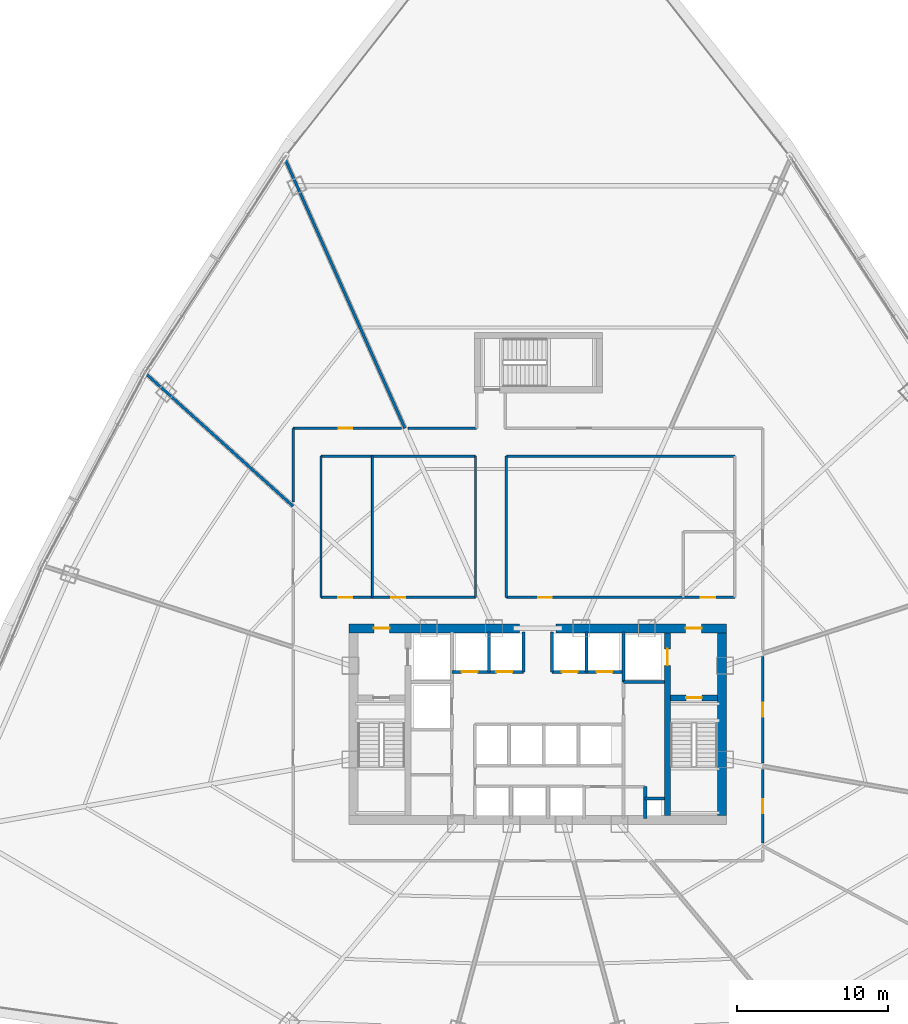
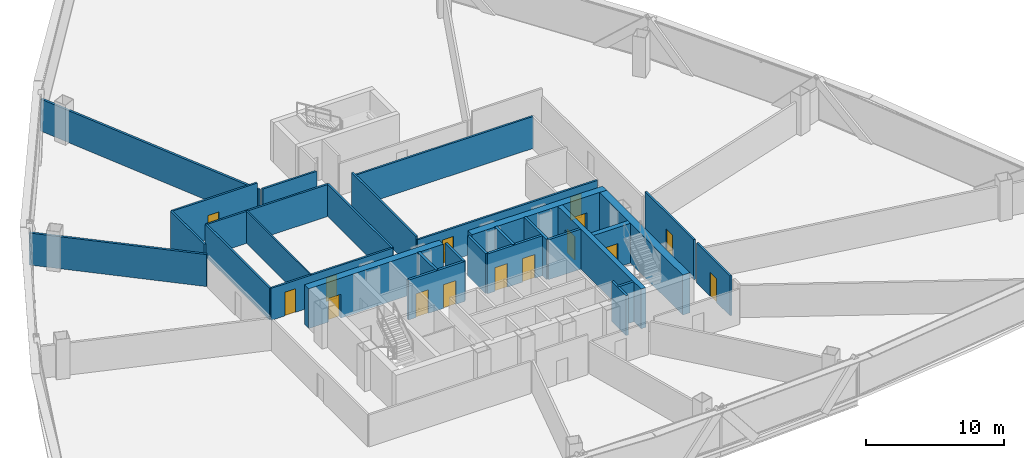
# One storey, part 33 of 39: 30 walls, 15 doors, 15 openings.
"""IFC4 building model written with IfcOpenShell, lengths in metres."""

from ifc_helpers import new_model, si_unit, direction, frame, frame_2d, origin, origin_with_axes, place, context, subcontext, project, spatial, rectangle, extrude, source, transform, mapped, material, layer, layer_set, type_object, element, fill, save


model = new_model("IFC4")

# Units and contexts
model_context = context("Model", 3, precision=1e-05, world=origin(), true_north=direction((0.0, 1.0)))
body_context = subcontext(model_context, "Body", "Model", "MODEL_VIEW")
ifc_project = project(units=[si_unit("LENGTHUNIT", "METRE"), si_unit("AREAUNIT", "SQUARE_METRE"), si_unit("VOLUMEUNIT", "CUBIC_METRE"), si_unit("PLANEANGLEUNIT", "RADIAN"), si_unit("MASSUNIT", "GRAM", prefix="KILO"), si_unit("THERMODYNAMICTEMPERATUREUNIT", "KELVIN"), si_unit("POWERUNIT", "WATT")], contexts=[model_context])

# Site, building, storey
site_placement = place(None, origin())
site = spatial("IfcSite", under=ifc_project, at=site_placement, CompositionType="ELEMENT")
building_placement = place(site_placement, origin())
building = spatial("IfcBuilding", under=site, at=building_placement, Name="Yunzhuo Pagoda Commons", CompositionType="ELEMENT")
storey_placement = place(building_placement, frame((0.0, 0.0, 92.580078125)))
storey = spatial("IfcBuildingStorey", under=building, at=storey_placement, Name="L23", CompositionType="ELEMENT", Elevation=92.580078125)

# Wall, opening, door
ifc_material_1 = material(Name="Concrete C60", Category="concrete")
ifc_layer_1 = layer(ifc_material_1, 0.60009765625)
ifc_layer_set_1 = layer_set([ifc_layer_1], Name="Concrete C60")
wall_type_1 = type_object("IfcWallType", Name="W-C02 Mid Core Shear Wall 600", PredefinedType="SHEAR", material=ifc_layer_set_1)
wall_1_placement = place(storey_placement, frame((35.5, 40.199951171875, 0.0), z_axis=(0.0, 0.0, 1.0), x_axis=(1.0, 0.0, 0.0)))
wall_1 = element("IfcWall", 1, at=wall_1_placement, inside=storey, type_object=wall_type_1, Name="L23 core shear wall NW", PredefinedType="SHEAR", context=body_context, shape_type="SweptSolid", body=[
    extrude(rectangle(XDim=11.300048828125, YDim=0.60009765625, at=frame_2d((5.64990234375, 0.0))), origin(), (0.0, 0.0, 1.0), 3.5400390625),
])
opening_1_placement = place(wall_1_placement, frame((1.64990234375, 0.0, 0.0)))
opening_1 = element("IfcOpeningElement", 2, at=opening_1_placement, cuts=wall_1, Name="Opening D-02", PredefinedType="OPENING", context=body_context, shape_type="SweptSolid", body=[
    extrude(rectangle(XDim=1.050048828125, YDim=2.10009765625, at=frame_2d((0.52490234375, 1.050048828125))), frame((0.0, 0.31005859375, 0.0), z_axis=(0.0, -1.0, 0.0), x_axis=(1.0, 0.0, 0.0)), (0.0, 0.0, 1.0), 0.6201171875),
])
ifc_material_2 = material(Name="Galvanized fire-resisting metal leaf")
door_type_1 = type_object("IfcDoorType", Name="D-02 Firefighting Lobby & Refuge Fire Door 1050x2100", OperationType="NOTDEFINED", PredefinedType="DOOR", material=ifc_material_2)
shared_shape_1 = source(origin(), body_context, "Body", "SweptSolid", [
    extrude(rectangle(XDim=1.050048828125, YDim=2.10009765625, at=frame_2d((0.52490234375, 1.050048828125))), frame((0.0, 0.02490234375, 0.0), z_axis=(0.0, -1.0, 0.0), x_axis=(1.0, 0.0, 0.0)), (0.0, 0.0, 1.0), 0.050048828125),
])
door_1_placement = place(opening_1_placement, frame((1.050048828125, 0.0, 0.0), z_axis=(0.0, 0.0, 1.0), x_axis=(-1.0, 0.0, 0.0)))
door_1 = element("IfcDoor", 3, at=door_1_placement, inside=storey, type_object=door_type_1, Name="L23 Firefighting Lobby 1 fire door", OperationType="SINGLE_SWING_LEFT", OverallHeight=2.10009765625, OverallWidth=1.050048828125, PredefinedType="DOOR", context=body_context, shape_type="MappedRepresentation", body=[
    mapped(shared_shape_1, transform((0.0, 0.0, 0.0), scale=1.0)),
])
fill(opening_1, door_1)

wall_2_placement = place(storey_placement, frame((49.199951171875, 40.199951171875, 0.0), z_axis=(0.0, 0.0, 1.0), x_axis=(1.0, 0.0, 0.0)))
wall_2 = element("IfcWall", 4, at=wall_2_placement, inside=storey, type_object=wall_type_1, Name="L23 core shear wall NE", PredefinedType="SHEAR", context=body_context, shape_type="SweptSolid", body=[
    extrude(rectangle(XDim=11.300048828125, YDim=0.60009765625, at=frame_2d((5.64990234375, 0.0))), origin(), (0.0, 0.0, 1.0), 3.5400390625),
])
opening_2_placement = place(wall_2_placement, frame((8.60009765625, 0.0, 0.0)))
opening_2 = element("IfcOpeningElement", 5, at=opening_2_placement, cuts=wall_2, Name="Opening D-02", PredefinedType="OPENING", context=body_context, shape_type="SweptSolid", body=[
    extrude(rectangle(XDim=1.050048828125, YDim=2.10009765625, at=frame_2d((0.52490234375, 1.050048828125))), frame((0.0, 0.31005859375, 0.0), z_axis=(0.0, -1.0, 0.0), x_axis=(1.0, 0.0, 0.0)), (0.0, 0.0, 1.0), 0.6201171875),
])
door_2_placement = place(opening_2_placement, frame((1.050048828125, 0.0, 0.0), z_axis=(0.0, 0.0, 1.0), x_axis=(-1.0, 0.0, 0.0)))
door_2 = element("IfcDoor", 6, at=door_2_placement, inside=storey, type_object=door_type_1, Name="L23 Firefighting Lobby 2 fire door", OperationType="SINGLE_SWING_RIGHT", OverallHeight=2.10009765625, OverallWidth=1.050048828125, PredefinedType="DOOR", context=body_context, shape_type="MappedRepresentation", body=[
    mapped(shared_shape_1, transform((0.0, 0.0, 0.0), scale=1.0)),
])
fill(opening_2, door_2)

# Wall
wall_3_placement = place(storey_placement, frame((60.199951171875, 27.800048828125, 0.0), z_axis=(0.0, 0.0, 1.0), x_axis=(0.0, 1.0, 0.0)))
element("IfcWall", 7, at=wall_3_placement, inside=storey, type_object=wall_type_1, Name="L23 core shear wall E", PredefinedType="SHEAR", context=body_context, shape_type="SweptSolid", body=[
    extrude(rectangle(XDim=12.099853515625, YDim=0.60009765625, at=frame_2d((6.0498046875, 0.0))), origin(), (0.0, 0.0, 1.0), 3.5400390625),
])

# Wall, openings, doors
ifc_material_3 = material(Name="Gypsum plasterboard on acoustic stud")
ifc_layer_2 = layer(ifc_material_3, 0.159912109375)
ifc_layer_set_2 = layer_set([ifc_layer_2], Name="Gypsum plasterboard on acoustic stud")
wall_type_2 = type_object("IfcWallType", Name="W-COR1 Tower Rated Corridor Wall 160", PredefinedType="PARTITIONING", material=ifc_layer_set_2)
wall_4_placement = place(storey_placement, frame((33.64990234375, 42.25, 0.0), z_axis=(0.0, 0.0, 1.0), x_axis=(1.0, 0.0, 0.0)))
wall_4 = element("IfcWall", 8, at=wall_4_placement, inside=storey, type_object=wall_type_2, Name="L23 interior wall IW-L23-ISLWS", PredefinedType="PARTITIONING", context=body_context, shape_type="SweptSolid", body=[
    extrude(rectangle(XDim=10.22998046875, YDim=0.159912109375, at=frame_2d((5.114990234375, 0.0))), origin(), (0.0, 0.0, 1.0), 2.83984375),
])
opening_3_placement = place(wall_4_placement, frame((1.14990234375, 0.0, 0.0)))
opening_3 = element("IfcOpeningElement", 9, at=opening_3_placement, cuts=wall_4, Name="Opening D-04", PredefinedType="OPENING", context=body_context, shape_type="SweptSolid", body=[
    extrude(rectangle(XDim=0.919921875, YDim=2.10009765625, at=frame_2d((0.4599609375, 1.050048828125))), frame((0.0, 0.08984375, 0.0), z_axis=(0.0, -1.0, 0.0), x_axis=(1.0, 0.0, 0.0)), (0.0, 0.0, 1.0), 0.179931640625),
])
opening_4_placement = place(wall_4_placement, frame((4.64990234375, 0.0, 0.0)))
opening_4 = element("IfcOpeningElement", 10, at=opening_4_placement, cuts=wall_4, Name="Opening D-04", PredefinedType="OPENING", context=body_context, shape_type="SweptSolid", body=[
    extrude(rectangle(XDim=0.919921875, YDim=2.10009765625, at=frame_2d((0.4599609375, 1.050048828125))), frame((0.0, 0.08984375, 0.0), z_axis=(0.0, -1.0, 0.0), x_axis=(1.0, 0.0, 0.0)), (0.0, 0.0, 1.0), 0.179931640625),
])
ifc_material_4 = material(Name="Powder-coated aluminium and timber acoustic leaf", Category="wood")
door_type_2 = type_object("IfcDoorType", Name="D-04 Bedroom & Study Interior Door 920x2100", OperationType="NOTDEFINED", PredefinedType="DOOR", material=ifc_material_4)
shared_shape_2 = source(origin(), body_context, "Body", "SweptSolid", [
    extrude(rectangle(XDim=0.919921875, YDim=2.10009765625, at=frame_2d((0.4599609375, 1.050048828125))), frame((0.0, 0.02490234375, 0.0), z_axis=(0.0, -1.0, 0.0), x_axis=(1.0, 0.0, 0.0)), (0.0, 0.0, 1.0), 0.050048828125),
])
door_3_placement = place(opening_3_placement, frame((0.919921875, 0.0, 0.0), z_axis=(0.0, 0.0, 1.0), x_axis=(-1.0, 0.0, 0.0)))
door_3 = element("IfcDoor", 11, at=door_3_placement, inside=storey, type_object=door_type_2, Name="L23 laundry door", OperationType="SINGLE_SWING_LEFT", OverallHeight=2.10009765625, OverallWidth=0.919921875, PredefinedType="DOOR", context=body_context, shape_type="MappedRepresentation", body=[
    mapped(shared_shape_2, transform((0.0, 0.0, 0.0), scale=1.0)),
])
fill(opening_3, door_3)
door_4_placement = place(opening_4_placement, frame((0.919921875, 0.0, 0.0), z_axis=(0.0, 0.0, 1.0), x_axis=(-1.0, 0.0, 0.0)))
door_4 = element("IfcDoor", 12, at=door_4_placement, inside=storey, type_object=door_type_2, Name="L23 study commons W door", OperationType="SINGLE_SWING_RIGHT", OverallHeight=2.10009765625, OverallWidth=0.919921875, PredefinedType="DOOR", context=body_context, shape_type="MappedRepresentation", body=[
    mapped(shared_shape_2, transform((0.0, 0.0, 0.0), scale=1.0)),
])
fill(opening_4, door_4)

# Walls
wall_5_placement = place(storey_placement, frame((33.64990234375, 51.60009765625, 0.0), z_axis=(0.0, 0.0, 1.0), x_axis=(1.0, 0.0, 0.0)))
element("IfcWall", 13, at=wall_5_placement, inside=storey, type_object=wall_type_2, Name="L23 interior wall IW-L23-ISLWN", PredefinedType="PARTITIONING", context=body_context, shape_type="SweptSolid", body=[
    extrude(rectangle(XDim=10.22998046875, YDim=0.159912109375, at=frame_2d((5.114990234375, 0.0))), origin(), (0.0, 0.0, 1.0), 2.83984375),
])
for number, where, z_axis, x_axis, name in (
    (14, (33.64990234375, 42.25, 0.0), (0.0, 0.0, 1.0), (0.0, 1.0, 0.0), "L23 interior wall IW-L23-ISLWW"),
    (15, (43.8798828125, 42.25, 0.0), (0.0, 0.0, 1.0), (0.0, 1.0, 0.0), "L23 interior wall IW-L23-ISLWE"),
):
    element("IfcWall", number, at=place(storey_placement, frame(where, z_axis=z_axis, x_axis=x_axis)), inside=storey, type_object=wall_type_2, Name=name, PredefinedType="PARTITIONING", context=body_context, shape_type="SweptSolid", body=[
        extrude(rectangle(XDim=9.35009765625, YDim=0.159912109375, at=frame_2d((4.675048828125, 0.0))), origin(), (0.0, 0.0, 1.0), 2.83984375),
    ])

# Wall, openings, doors
wall_6_placement = place(storey_placement, frame((45.919921875, 42.25, 0.0), z_axis=(0.0, 0.0, 1.0), x_axis=(1.0, 0.0, 0.0)))
wall_6 = element("IfcWall", 16, at=wall_6_placement, inside=storey, type_object=wall_type_2, Name="L23 interior wall IW-L23-ISLES", PredefinedType="PARTITIONING", context=body_context, shape_type="SweptSolid", body=[
    extrude(rectangle(XDim=15.130126953125, YDim=0.159912109375, at=frame_2d((7.56494140625, 0.0))), origin(), (0.0, 0.0, 1.0), 2.83984375),
])
opening_5_placement = place(wall_6_placement, frame((2.10009765625, 0.0, 0.0)))
opening_5 = element("IfcOpeningElement", 17, at=opening_5_placement, cuts=wall_6, Name="Opening D-04", PredefinedType="OPENING", context=body_context, shape_type="SweptSolid", body=[
    extrude(rectangle(XDim=0.919921875, YDim=2.10009765625, at=frame_2d((0.4599609375, 1.050048828125))), frame((0.0, 0.08984375, 0.0), z_axis=(0.0, -1.0, 0.0), x_axis=(1.0, 0.0, 0.0)), (0.0, 0.0, 1.0), 0.179931640625),
])
opening_6_placement = place(wall_6_placement, frame((12.8798828125, 0.0, 0.0)))
opening_6 = element("IfcOpeningElement", 18, at=opening_6_placement, cuts=wall_6, Name="Opening D-11", PredefinedType="OPENING", context=body_context, shape_type="SweptSolid", body=[
    extrude(rectangle(XDim=0.93994140625, YDim=2.10009765625, at=frame_2d((0.469970703125, 1.050048828125))), frame((0.0, 0.08984375, 0.0), z_axis=(0.0, -1.0, 0.0), x_axis=(1.0, 0.0, 0.0)), (0.0, 0.0, 1.0), 0.179931640625),
])
door_type_3 = type_object("IfcDoorType", Name="D-11 Accessible Washroom Fire Door 940x2100", OperationType="NOTDEFINED", PredefinedType="DOOR", material=ifc_material_2)
shared_shape_3 = source(origin(), body_context, "Body", "SweptSolid", [
    extrude(rectangle(XDim=0.93994140625, YDim=2.10009765625, at=frame_2d((0.469970703125, 1.050048828125))), frame((0.0, 0.02490234375, 0.0), z_axis=(0.0, -1.0, 0.0), x_axis=(1.0, 0.0, 0.0)), (0.0, 0.0, 1.0), 0.050048828125),
])
door_5_placement = place(opening_6_placement, frame((0.93994140625, 0.0, 0.0), z_axis=(0.0, 0.0, 1.0), x_axis=(-1.0, 0.0, 0.0)))
door_5 = element("IfcDoor", 19, at=door_5_placement, inside=storey, type_object=door_type_3, Name="L23 accessible WC door", OperationType="SINGLE_SWING_RIGHT", OverallHeight=2.10009765625, OverallWidth=0.93994140625, PredefinedType="DOOR", context=body_context, shape_type="MappedRepresentation", body=[
    mapped(shared_shape_3, transform((0.0, 0.0, 0.0), scale=1.0)),
])
fill(opening_6, door_5)
door_6_placement = place(opening_5_placement, frame((0.919921875, 0.0, 0.0), z_axis=(0.0, 0.0, 1.0), x_axis=(-1.0, 0.0, 0.0)))
door_6 = element("IfcDoor", 20, at=door_6_placement, inside=storey, type_object=door_type_2, Name="L23 reading commons door", OperationType="SINGLE_SWING_LEFT", OverallHeight=2.10009765625, OverallWidth=0.919921875, PredefinedType="DOOR", context=body_context, shape_type="MappedRepresentation", body=[
    mapped(shared_shape_2, transform((0.0, 0.0, 0.0), scale=1.0)),
])
fill(opening_5, door_6)

# Walls
wall_7_placement = place(storey_placement, frame((45.919921875, 51.60009765625, 0.0), z_axis=(0.0, 0.0, 1.0), x_axis=(1.0, 0.0, 0.0)))
element("IfcWall", 21, at=wall_7_placement, inside=storey, type_object=wall_type_2, Name="L23 interior wall IW-L23-ISLEN", PredefinedType="PARTITIONING", context=body_context, shape_type="SweptSolid", body=[
    extrude(rectangle(XDim=15.130126953125, YDim=0.159912109375, at=frame_2d((7.56494140625, 0.0))), origin(), (0.0, 0.0, 1.0), 2.83984375),
])
wall_8_placement = place(storey_placement, frame((45.919921875, 42.25, 0.0), z_axis=(0.0, 0.0, 1.0), x_axis=(0.0, 1.0, 0.0)))
element("IfcWall", 22, at=wall_8_placement, inside=storey, type_object=wall_type_2, Name="L23 interior wall IW-L23-ISLEW", PredefinedType="PARTITIONING", context=body_context, shape_type="SweptSolid", body=[
    extrude(rectangle(XDim=9.35009765625, YDim=0.159912109375, at=frame_2d((4.675048828125, 0.0))), origin(), (0.0, 0.0, 1.0), 3.139892578125),
])
wall_9_placement = place(storey_placement, frame((31.800048828125, 48.58251953125, 0.0), z_axis=(0.0, 0.0, 1.0), x_axis=(0.0, 1.0, 0.0)))
element("IfcWall", 23, at=wall_9_placement, inside=storey, type_object=wall_type_2, Name="L23 interior wall IW-L23-CWL03", PredefinedType="PARTITIONING", context=body_context, shape_type="SweptSolid", body=[
    extrude(rectangle(XDim=4.867431640625, YDim=0.159912109375, at=frame_2d((2.43359375, 0.0))), origin(), (0.0, 0.0, 1.0), 3.5400390625),
])

# Wall, opening, door
wall_10_placement = place(storey_placement, frame((31.800048828125, 53.449951171875, 0.0), z_axis=(0.0, 0.0, 1.0), x_axis=(1.0, 0.0, 0.0)))
wall_10 = element("IfcWall", 24, at=wall_10_placement, inside=storey, type_object=wall_type_2, Name="L23 interior wall IW-L23-CWL04", PredefinedType="PARTITIONING", context=body_context, shape_type="SweptSolid", body=[
    extrude(rectangle(XDim=7.165771484375, YDim=0.159912109375, at=frame_2d((3.5830078125, 0.0))), origin(), (0.0, 0.0, 1.0), 3.5400390625),
])
opening_7_placement = place(wall_10_placement, frame((3.01318359375, 0.0, 0.0)))
opening_7 = element("IfcOpeningElement", 25, at=opening_7_placement, cuts=wall_10, Name="Opening D-04", PredefinedType="OPENING", context=body_context, shape_type="SweptSolid", body=[
    extrude(rectangle(XDim=0.919921875, YDim=2.10009765625, at=frame_2d((0.4599609375, 1.050048828125))), frame((0.0, 0.08984375, 0.0), z_axis=(0.0, -1.0, 0.0), x_axis=(1.0, 0.0, 0.0)), (0.0, 0.0, 1.0), 0.179931640625),
])
door_7_placement = place(opening_7_placement, origin_with_axes())
door_7 = element("IfcDoor", 26, at=door_7_placement, inside=storey, type_object=door_type_2, Name="L23 seminar room 04 door", OperationType="SINGLE_SWING_LEFT", OverallHeight=2.10009765625, OverallWidth=0.919921875, PredefinedType="DOOR", context=body_context, shape_type="MappedRepresentation", body=[
    mapped(shared_shape_2, transform((0.0, 0.0, 0.0), scale=1.0)),
])
fill(opening_7, door_7)

# Wall
wall_11_placement = place(storey_placement, frame((39.426513671875, 53.449951171875, 0.0), z_axis=(0.0, 0.0, 1.0), x_axis=(1.0, 0.0, 0.0)))
element("IfcWall", 27, at=wall_11_placement, inside=storey, type_object=wall_type_2, Name="L23 interior wall IW-L23-CWL05", PredefinedType="PARTITIONING", context=body_context, shape_type="SweptSolid", body=[
    extrude(rectangle(XDim=4.5234375, YDim=0.159912109375, at=frame_2d((2.26171875, 0.0))), origin(), (0.0, 0.0, 1.0), 2.83984375),
])

# Wall, opening, door
wall_12_placement = place(storey_placement, frame((62.89990234375, 38.321533203125, 0.0), z_axis=(0.0, 0.0, 1.0), x_axis=(0.0, -1.0, 0.0)))
wall_12 = element("IfcWall", 28, at=wall_12_placement, inside=storey, type_object=wall_type_2, Name="L23 interior wall IW-L23-CWL11", PredefinedType="PARTITIONING", context=body_context, shape_type="SweptSolid", body=[
    extrude(rectangle(XDim=7.029052734375, YDim=0.159912109375, at=frame_2d((3.5146484375, 0.0))), origin(), (0.0, 0.0, 1.0), 3.5400390625),
])
opening_8_placement = place(wall_12_placement, frame((3.054443359375, 0.0, 0.0)))
opening_8 = element("IfcOpeningElement", 29, at=opening_8_placement, cuts=wall_12, Name="Opening D-04", PredefinedType="OPENING", context=body_context, shape_type="SweptSolid", body=[
    extrude(rectangle(XDim=0.919921875, YDim=2.10009765625, at=frame_2d((0.4599609375, 1.050048828125))), frame((0.0, 0.08984375, 0.0), z_axis=(0.0, -1.0, 0.0), x_axis=(1.0, 0.0, 0.0)), (0.0, 0.0, 1.0), 0.179931640625),
])
door_8_placement = place(opening_8_placement, origin_with_axes())
door_8 = element("IfcDoor", 30, at=door_8_placement, inside=storey, type_object=door_type_2, Name="L23 seminar room 01 door", OperationType="SINGLE_SWING_RIGHT", OverallHeight=2.10009765625, OverallWidth=0.919921875, PredefinedType="DOOR", context=body_context, shape_type="MappedRepresentation", body=[
    mapped(shared_shape_2, transform((0.0, 0.0, 0.0), scale=1.0)),
])
fill(opening_8, door_8)

wall_13_placement = place(storey_placement, frame((62.89990234375, 30.849365234375, 0.0), z_axis=(0.0, 0.0, 1.0), x_axis=(0.0, -1.0, 0.0)))
wall_13 = element("IfcWall", 31, at=wall_13_placement, inside=storey, type_object=wall_type_2, Name="L23 interior wall IW-L23-CWL12", PredefinedType="PARTITIONING", context=body_context, shape_type="SweptSolid", body=[
    extrude(rectangle(XDim=4.851806640625, YDim=0.159912109375, at=frame_2d((2.42578125, 0.0))), origin(), (0.0, 0.0, 1.0), 3.5400390625),
])
opening_9_placement = place(wall_13_placement, frame((1.94921875, 0.0, 0.0)))
opening_9 = element("IfcOpeningElement", 32, at=opening_9_placement, cuts=wall_13, Name="Opening D-06", PredefinedType="OPENING", context=body_context, shape_type="SweptSolid", body=[
    extrude(rectangle(XDim=0.949951171875, YDim=2.10009765625, at=frame_2d((0.47509765625, 1.050048828125))), frame((0.0, 0.08984375, 0.0), z_axis=(0.0, -1.0, 0.0), x_axis=(1.0, 0.0, 0.0)), (0.0, 0.0, 1.0), 0.179931640625),
])
door_type_4 = type_object("IfcDoorType", Name="D-06 Co-Living Suite Entrance Fire Door 950x2100", OperationType="NOTDEFINED", PredefinedType="DOOR", material=ifc_material_2)
shared_shape_4 = source(origin(), body_context, "Body", "SweptSolid", [
    extrude(rectangle(XDim=0.949951171875, YDim=2.10009765625, at=frame_2d((0.47509765625, 1.050048828125))), frame((0.0, 0.02490234375, 0.0), z_axis=(0.0, -1.0, 0.0), x_axis=(1.0, 0.0, 0.0)), (0.0, 0.0, 1.0), 0.050048828125),
])
door_9_placement = place(opening_9_placement, origin_with_axes())
door_9 = element("IfcDoor", 33, at=door_9_placement, inside=storey, type_object=door_type_4, Name="L23 unit 10 entrance door", OperationType="SINGLE_SWING_LEFT", OverallHeight=2.10009765625, OverallWidth=0.949951171875, PredefinedType="DOOR", context=body_context, shape_type="MappedRepresentation", body=[
    mapped(shared_shape_4, transform((0.0, 0.0, 0.0), scale=1.0)),
])
fill(opening_9, door_9)

# Walls
ifc_layer_3 = layer(ifc_material_3, 0.1201171875)
ifc_layer_set_3 = layer_set([ifc_layer_3], Name="Gypsum plasterboard on acoustic stud")
wall_type_3 = type_object("IfcWallType", Name="W-PRT1 Suite & Bathroom Partition 120", PredefinedType="PARTITIONING", material=ifc_layer_set_3)
wall_14_placement = place(storey_placement, frame((37.050048828125, 42.25, 0.0), z_axis=(0.0, 0.0, 1.0), x_axis=(0.0, 1.0, 0.0)))
element("IfcWall", 34, at=wall_14_placement, inside=storey, type_object=wall_type_3, Name="L23 interior wall IW-L23-ISLW1", PredefinedType="PARTITIONING", context=body_context, shape_type="SweptSolid", body=[
    extrude(rectangle(XDim=9.35009765625, YDim=0.1201171875, at=frame_2d((4.675048828125, 0.0))), origin(), (0.0, 0.0, 1.0), 2.83984375),
])
ifc_layer_4 = layer(ifc_material_3, 0.179931640625)
ifc_layer_set_4 = layer_set([ifc_layer_4], Name="Gypsum plasterboard on acoustic stud")
wall_type_4 = type_object("IfcWallType", Name="W-PRT2 Acoustic Unit Demising Wall 180", PredefinedType="PARTITIONING", material=ifc_layer_set_4)
wall_15_placement = place(storey_placement, frame((39.206787109375, 53.449951171875, 0.0), z_axis=(0.0, 0.0, 1.0), x_axis=(-0.406741294252, 0.913543386791, 0.0)))
element("IfcWall", 35, at=wall_15_placement, inside=storey, type_object=wall_type_4, Name="L23 interior wall IW-L23-RAD03", PredefinedType="PARTITIONING", context=body_context, shape_type="SweptSolid", body=[
    extrude(rectangle(XDim=19.612060546875, YDim=0.179931640625, at=frame_2d((9.80615234375, 0.0))), origin(), (0.0, 0.0, 1.0), 2.83984375),
])
wall_16_placement = place(storey_placement, frame((31.800048828125, 48.28662109375, 0.0), z_axis=(0.0, 0.0, 1.0), x_axis=(-0.74315159846, 0.669123084123, 0.0)))
element("IfcWall", 36, at=wall_16_placement, inside=storey, type_object=wall_type_4, Name="L23 interior wall IW-L23-RAD04", PredefinedType="PARTITIONING", context=body_context, shape_type="SweptSolid", body=[
    extrude(rectangle(XDim=13.20166015625, YDim=0.179931640625, at=frame_2d((6.600830078125, 0.0))), origin(), (0.0, 0.0, 1.0), 2.83984375),
])

# Wall, opening, door
ifc_layer_5 = layer(ifc_material_1, 0.39990234375)
ifc_layer_set_5 = layer_set([ifc_layer_5], Name="Concrete C60")
wall_type_5 = type_object("IfcWallType", Name="W-S01 Internal Core Shear Web 400", PredefinedType="SHEAR", material=ifc_layer_set_5)
wall_17_placement = place(storey_placement, frame((56.60009765625, 27.800048828125, 0.0), z_axis=(0.0, 0.0, 1.0), x_axis=(0.0, 1.0, 0.0)))
wall_17 = element("IfcWall", 37, at=wall_17_placement, inside=storey, type_object=wall_type_5, Name="L23 core shear wall WEBE", PredefinedType="SHEAR", context=body_context, shape_type="SweptSolid", body=[
    extrude(rectangle(XDim=12.099853515625, YDim=0.39990234375, at=frame_2d((6.0498046875, 0.0))), origin(), (0.0, 0.0, 1.0), 3.5400390625),
])
opening_10_placement = place(wall_17_placement, frame((9.949951171875, 0.0, 0.0)))
opening_10 = element("IfcOpeningElement", 38, at=opening_10_placement, cuts=wall_17, Name="Opening LD-01", PredefinedType="OPENING", context=body_context, shape_type="SweptSolid", body=[
    extrude(rectangle(XDim=1.10009765625, YDim=2.10009765625, at=frame_2d((0.550048828125, 1.050048828125))), frame((0.0, 0.2099609375, 0.0), z_axis=(0.0, -1.0, 0.0), x_axis=(1.0, 0.0, 0.0)), (0.0, 0.0, 1.0), 0.419921875),
])
door_type_5 = type_object("IfcDoorType", Name="LD-01 Firefighting Lift Landing Door 1100x2100", OperationType="DOUBLE_DOOR_SLIDING", PredefinedType="DOOR", material=ifc_material_2)
shared_shape_5 = source(origin(), body_context, "Body", "SweptSolid", [
    extrude(rectangle(XDim=1.10009765625, YDim=2.10009765625, at=frame_2d((0.550048828125, 1.050048828125))), frame((0.0, 0.02490234375, 0.0), z_axis=(0.0, -1.0, 0.0), x_axis=(1.0, 0.0, 0.0)), (0.0, 0.0, 1.0), 0.050048828125),
])
door_10_placement = place(opening_10_placement, origin_with_axes())
door_10 = element("IfcDoor", 39, at=door_10_placement, inside=storey, type_object=door_type_5, Name="L23 Firefighting lift FL-2 landing door", OperationType="DOUBLE_DOOR_SLIDING", OverallHeight=2.10009765625, OverallWidth=1.10009765625, PredefinedType="DOOR", context=body_context, shape_type="MappedRepresentation", body=[
    mapped(shared_shape_5, transform((0.0, 0.0, 0.0), scale=1.0)),
])
fill(opening_10, door_10)

wall_18_placement = place(storey_placement, frame((56.800048828125, 35.60009765625, 0.0), z_axis=(0.0, 0.0, 1.0), x_axis=(1.0, 0.0, 0.0)))
wall_18 = element("IfcWall", 40, at=wall_18_placement, inside=storey, type_object=wall_type_5, Name="L23 core shear wall STE", PredefinedType="SHEAR", context=body_context, shape_type="SweptSolid", body=[
    extrude(rectangle(XDim=3.099853515625, YDim=0.39990234375, at=frame_2d((1.5498046875, 0.0))), origin(), (0.0, 0.0, 1.0), 3.5400390625),
])
opening_11_placement = place(wall_18_placement, frame((1.02001953125, 0.0, 0.0)))
opening_11 = element("IfcOpeningElement", 41, at=opening_11_placement, cuts=wall_18, Name="Opening D-01", PredefinedType="OPENING", context=body_context, shape_type="SweptSolid", body=[
    extrude(rectangle(XDim=1.050048828125, YDim=2.10009765625, at=frame_2d((0.52490234375, 1.050048828125))), frame((0.0, 0.2099609375, 0.0), z_axis=(0.0, -1.0, 0.0), x_axis=(1.0, 0.0, 0.0)), (0.0, 0.0, 1.0), 0.419921875),
])
door_type_6 = type_object("IfcDoorType", Name="D-01 Smokeproof Stair Fire Door 1050x2100", OperationType="NOTDEFINED", PredefinedType="DOOR", material=ifc_material_2)
door_11_placement = place(opening_11_placement, frame((1.050048828125, 0.0, 0.0), z_axis=(0.0, 0.0, 1.0), x_axis=(-1.0, 0.0, 0.0)))
door_11 = element("IfcDoor", 42, at=door_11_placement, inside=storey, type_object=door_type_6, Name="L23 Stair ST2 fire door", OperationType="SINGLE_SWING_RIGHT", OverallHeight=2.10009765625, OverallWidth=1.050048828125, PredefinedType="DOOR", context=body_context, shape_type="MappedRepresentation", body=[
    mapped(shared_shape_1, transform((0.0, 0.0, 0.0), scale=1.0)),
])
fill(opening_11, door_11)

# Walls
ifc_material_5 = material(Name="Concrete C40", Category="concrete")
ifc_layer_6 = layer(ifc_material_5, 0.199951171875)
ifc_layer_set_6 = layer_set([ifc_layer_6], Name="Concrete C40")
wall_type_6 = type_object("IfcWallType", Name="W-SHF Shaft & Stair Enclosure Wall 200", PredefinedType="SOLIDWALL", material=ifc_layer_set_6)
wall_19_placement = place(storey_placement, frame((53.679931640625, 36.64990234375, 0.0), z_axis=(0.0, 0.0, 1.0), x_axis=(0.0, 1.0, 0.0)))
element("IfcWall", 43, at=wall_19_placement, inside=storey, type_object=wall_type_6, Name="L23 interior wall IW-L23-FL2W", PredefinedType="SOLIDWALL", context=body_context, shape_type="SweptSolid", body=[
    extrude(rectangle(XDim=3.300048828125, YDim=0.199951171875, at=frame_2d((1.64990234375, 0.0))), origin(), (0.0, 0.0, 1.0), 3.5400390625),
])
wall_20_placement = place(storey_placement, frame((53.679931640625, 36.64990234375, 0.0), z_axis=(0.0, 0.0, 1.0), x_axis=(1.0, 0.0, 0.0)))
element("IfcWall", 44, at=wall_20_placement, inside=storey, type_object=wall_type_6, Name="L23 interior wall IW-L23-FL2S", PredefinedType="SOLIDWALL", context=body_context, shape_type="SweptSolid", body=[
    extrude(rectangle(XDim=2.719970703125, YDim=0.199951171875, at=frame_2d((1.35986328125, 0.0))), origin(), (0.0, 0.0, 1.0), 3.5400390625),
])

# Wall, openings, doors
wall_21_placement = place(storey_placement, frame((42.320068359375, 37.320068359375, 0.0), z_axis=(0.0, 0.0, 1.0), x_axis=(1.0, 0.0, 0.0)))
wall_21 = element("IfcWall", 45, at=wall_21_placement, inside=storey, type_object=wall_type_6, Name="L23 interior wall IW-L23-LBNW", PredefinedType="SOLIDWALL", context=body_context, shape_type="SweptSolid", body=[
    extrude(rectangle(XDim=4.72998046875, YDim=0.199951171875, at=frame_2d((2.364990234375, 0.0))), origin(), (0.0, 0.0, 1.0), 3.5400390625),
])
opening_12_placement = place(wall_21_placement, frame((0.64990234375, 0.0, 0.0)))
opening_12 = element("IfcOpeningElement", 46, at=opening_12_placement, cuts=wall_21, Name="Opening LD-02", PredefinedType="OPENING", context=body_context, shape_type="SweptSolid", body=[
    extrude(rectangle(XDim=1.050048828125, YDim=2.10009765625, at=frame_2d((0.52490234375, 1.050048828125))), frame((0.0, 0.10986328125, 0.0), z_axis=(0.0, -1.0, 0.0), x_axis=(1.0, 0.0, 0.0)), (0.0, 0.0, 1.0), 0.219970703125),
])
opening_13_placement = place(wall_21_placement, frame((2.949951171875, 0.0, 0.0)))
opening_13 = element("IfcOpeningElement", 47, at=opening_13_placement, cuts=wall_21, Name="Opening LD-02", PredefinedType="OPENING", context=body_context, shape_type="SweptSolid", body=[
    extrude(rectangle(XDim=1.050048828125, YDim=2.10009765625, at=frame_2d((0.52490234375, 1.050048828125))), frame((0.0, 0.10986328125, 0.0), z_axis=(0.0, -1.0, 0.0), x_axis=(1.0, 0.0, 0.0)), (0.0, 0.0, 1.0), 0.219970703125),
])
door_type_7 = type_object("IfcDoorType", Name="LD-02 Passenger Lift Landing Door 1050x2100", OperationType="DOUBLE_DOOR_SLIDING", PredefinedType="DOOR", material=ifc_material_2)
door_12_placement = place(opening_12_placement, frame((1.050048828125, 0.0, 0.0), z_axis=(0.0, 0.0, 1.0), x_axis=(-1.0, 0.0, 0.0)))
door_12 = element("IfcDoor", 48, at=door_12_placement, inside=storey, type_object=door_type_7, Name="L23 Passenger lift PL-L1 landing door", OperationType="DOUBLE_DOOR_SLIDING", OverallHeight=2.10009765625, OverallWidth=1.050048828125, PredefinedType="DOOR", context=body_context, shape_type="MappedRepresentation", body=[
    mapped(shared_shape_1, transform((0.0, 0.0, 0.0), scale=1.0)),
])
fill(opening_12, door_12)
door_13_placement = place(opening_13_placement, frame((1.050048828125, 0.0, 0.0), z_axis=(0.0, 0.0, 1.0), x_axis=(-1.0, 0.0, 0.0)))
door_13 = element("IfcDoor", 49, at=door_13_placement, inside=storey, type_object=door_type_7, Name="L23 Passenger lift PL-L2 landing door", OperationType="DOUBLE_DOOR_SLIDING", OverallHeight=2.10009765625, OverallWidth=1.050048828125, PredefinedType="DOOR", context=body_context, shape_type="MappedRepresentation", body=[
    mapped(shared_shape_1, transform((0.0, 0.0, 0.0), scale=1.0)),
])
fill(opening_13, door_13)

wall_22_placement = place(storey_placement, frame((48.949951171875, 37.320068359375, 0.0), z_axis=(0.0, 0.0, 1.0), x_axis=(1.0, 0.0, 0.0)))
wall_22 = element("IfcWall", 50, at=wall_22_placement, inside=storey, type_object=wall_type_6, Name="L23 interior wall IW-L23-LBNE", PredefinedType="SOLIDWALL", context=body_context, shape_type="SweptSolid", body=[
    extrude(rectangle(XDim=4.72998046875, YDim=0.199951171875, at=frame_2d((2.364990234375, 0.0))), origin(), (0.0, 0.0, 1.0), 3.5400390625),
])
opening_14_placement = place(wall_22_placement, frame((0.64990234375, 0.0, 0.0)))
opening_14 = element("IfcOpeningElement", 51, at=opening_14_placement, cuts=wall_22, Name="Opening LD-02", PredefinedType="OPENING", context=body_context, shape_type="SweptSolid", body=[
    extrude(rectangle(XDim=1.050048828125, YDim=2.10009765625, at=frame_2d((0.52490234375, 1.050048828125))), frame((0.0, 0.10986328125, 0.0), z_axis=(0.0, -1.0, 0.0), x_axis=(1.0, 0.0, 0.0)), (0.0, 0.0, 1.0), 0.219970703125),
])
opening_15_placement = place(wall_22_placement, frame((2.949951171875, 0.0, 0.0)))
opening_15 = element("IfcOpeningElement", 52, at=opening_15_placement, cuts=wall_22, Name="Opening LD-02", PredefinedType="OPENING", context=body_context, shape_type="SweptSolid", body=[
    extrude(rectangle(XDim=1.050048828125, YDim=2.10009765625, at=frame_2d((0.52490234375, 1.050048828125))), frame((0.0, 0.10986328125, 0.0), z_axis=(0.0, -1.0, 0.0), x_axis=(1.0, 0.0, 0.0)), (0.0, 0.0, 1.0), 0.219970703125),
])
door_14_placement = place(opening_14_placement, frame((1.050048828125, 0.0, 0.0), z_axis=(0.0, 0.0, 1.0), x_axis=(-1.0, 0.0, 0.0)))
door_14 = element("IfcDoor", 53, at=door_14_placement, inside=storey, type_object=door_type_7, Name="L23 Passenger lift PL-L3 landing door", OperationType="DOUBLE_DOOR_SLIDING", OverallHeight=2.10009765625, OverallWidth=1.050048828125, PredefinedType="DOOR", context=body_context, shape_type="MappedRepresentation", body=[
    mapped(shared_shape_1, transform((0.0, 0.0, 0.0), scale=1.0)),
])
fill(opening_14, door_14)
door_15_placement = place(opening_15_placement, frame((1.050048828125, 0.0, 0.0), z_axis=(0.0, 0.0, 1.0), x_axis=(-1.0, 0.0, 0.0)))
door_15 = element("IfcDoor", 54, at=door_15_placement, inside=storey, type_object=door_type_7, Name="L23 Passenger lift PL-L4 landing door", OperationType="DOUBLE_DOOR_SLIDING", OverallHeight=2.10009765625, OverallWidth=1.050048828125, PredefinedType="DOOR", context=body_context, shape_type="MappedRepresentation", body=[
    mapped(shared_shape_1, transform((0.0, 0.0, 0.0), scale=1.0)),
])
fill(opening_15, door_15)

# Walls
for number, where, z_axis, x_axis, name in (
    (55, (47.050048828125, 37.320068359375, 0.0), (0.0, 0.0, 1.0), (0.0, 1.0, 0.0), "L23 interior wall IW-L23-THRW"),
    (56, (48.949951171875, 37.320068359375, 0.0), (0.0, 0.0, 1.0), (0.0, 1.0, 0.0), "L23 interior wall IW-L23-THRE"),
    (57, (44.77001953125, 37.320068359375, 0.0), (0.0, 0.0, 1.0), (0.0, 1.0, 0.0), "L23 interior wall IW-L23-PLL12"),
    (58, (51.22998046875, 37.320068359375, 0.0), (0.0, 0.0, 1.0), (0.0, 1.0, 0.0), "L23 interior wall IW-L23-PLL34"),
):
    element("IfcWall", number, at=place(storey_placement, frame(where, z_axis=z_axis, x_axis=x_axis)), inside=storey, type_object=wall_type_6, Name=name, PredefinedType="SOLIDWALL", context=body_context, shape_type="SweptSolid", body=[
        extrude(rectangle(XDim=2.6298828125, YDim=0.199951171875, at=frame_2d((1.31494140625, 0.0))), origin(), (0.0, 0.0, 1.0), 3.5400390625),
    ])
wall_23_placement = place(storey_placement, frame((55.1201171875, 27.60009765625, 0.0), z_axis=(0.0, 0.0, 1.0), x_axis=(0.0, 1.0, 0.0)))
element("IfcWall", 59, at=wall_23_placement, inside=storey, type_object=wall_type_6, Name="L23 interior wall IW-L23-RSHFW", PredefinedType="SOLIDWALL", context=body_context, shape_type="SweptSolid", body=[
    extrude(rectangle(XDim=2.119873046875, YDim=0.199951171875, at=frame_2d((1.06005859375, 0.0))), origin(), (0.0, 0.0, 1.0), 3.5400390625),
])
wall_24_placement = place(storey_placement, frame((55.1201171875, 28.949951171875, 0.0), z_axis=(0.0, 0.0, 1.0), x_axis=(1.0, 0.0, 0.0)))
element("IfcWall", 60, at=wall_24_placement, inside=storey, type_object=wall_type_6, Name="L23 interior wall IW-L23-RSHFN", PredefinedType="SOLIDWALL", context=body_context, shape_type="SweptSolid", body=[
    extrude(rectangle(XDim=1.27978515625, YDim=0.199951171875, at=frame_2d((0.639892578125, 0.0))), origin(), (0.0, 0.0, 1.0), 3.5400390625),
])

save(model, "model.ifc")
